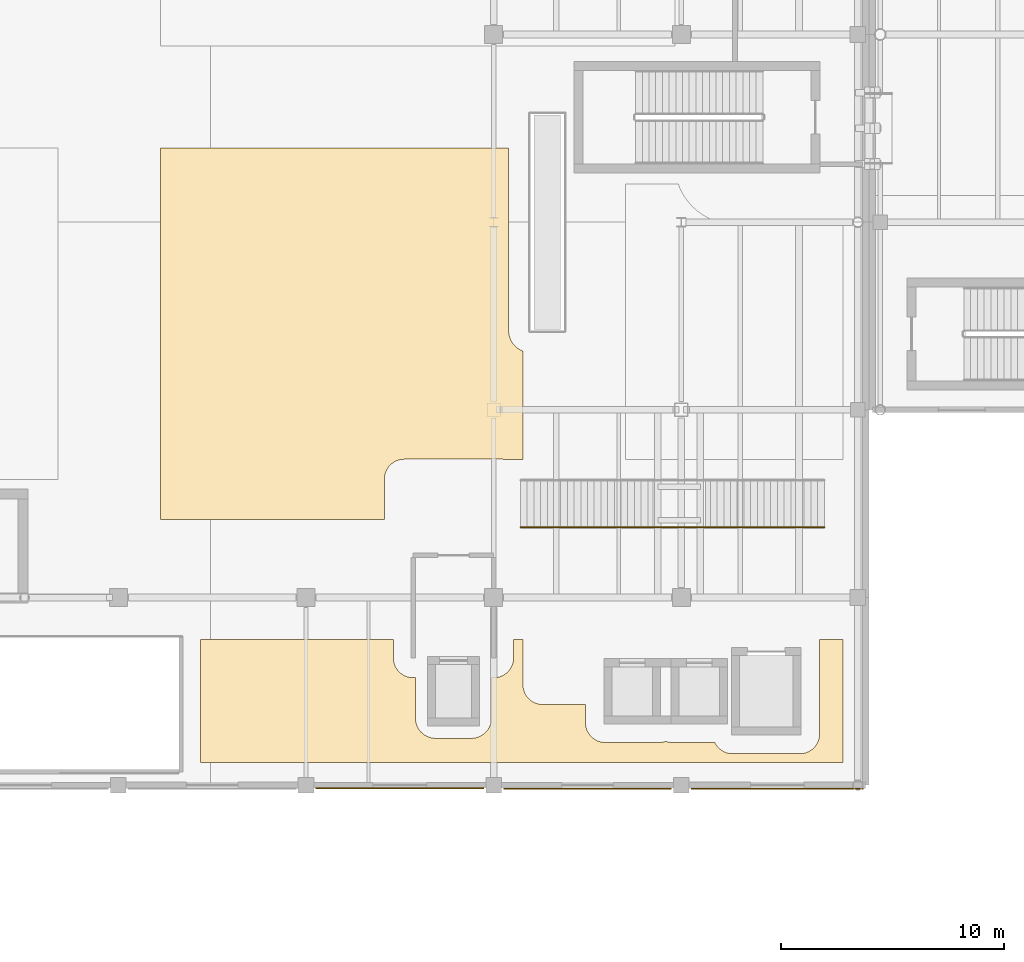
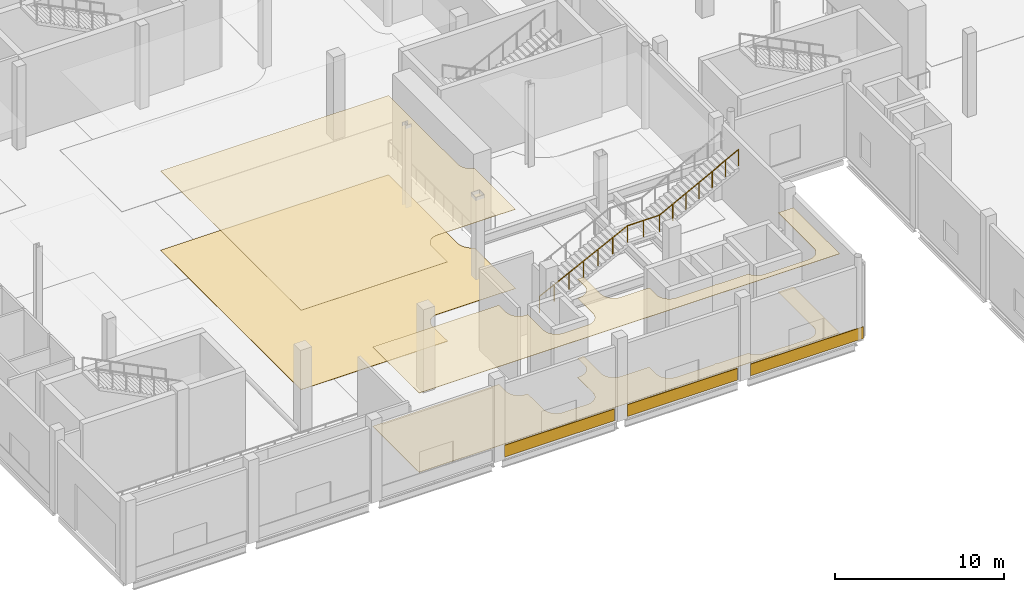
# One storey, part 66 of 85: 7 coverings, 1 railing.
"""IFC4 building model written with IfcOpenShell, lengths in metres."""

from ifc_helpers import new_model, si_unit, direction, frame, origin, origin_2d, place, context, subcontext, project, spatial, polyline, rectangle, circle, outline, extrude, material, layer, layer_set, type_object, element, save


model = new_model("IFC4")

# Units and contexts
model_context = context("Model", 3, precision=1e-05, world=origin(), true_north=direction((0.0, 1.0)))
body_context = subcontext(model_context, "Body", "Model", "MODEL_VIEW")
ifc_project = project(units=[si_unit("LENGTHUNIT", "METRE"), si_unit("AREAUNIT", "SQUARE_METRE"), si_unit("VOLUMEUNIT", "CUBIC_METRE"), si_unit("PLANEANGLEUNIT", "RADIAN"), si_unit("MASSUNIT", "GRAM", prefix="KILO"), si_unit("THERMODYNAMICTEMPERATUREUNIT", "KELVIN")], contexts=[model_context])

# Site, building, storey
site_placement = place(None, origin())
site = spatial("IfcSite", under=ifc_project, at=site_placement, CompositionType="ELEMENT")
building_placement = place(site_placement, origin())
building = spatial("IfcBuilding", under=site, at=building_placement, Name="Lustrewick Department Store", CompositionType="ELEMENT")
storey_placement = place(building_placement, origin())
storey = spatial("IfcBuildingStorey", under=building, at=storey_placement, Name="L01", CompositionType="ELEMENT", Elevation=0.0)

# Coverings
ifc_material_1 = material(Name="Rusticated Fangshan cream limestone", Category="masonry")
ifc_layer_1 = layer(ifc_material_1, 0.050048828125, Name="Rusticated Fangshan cream limestone")
ifc_layer_set_1 = layer_set([ifc_layer_1], Name="Rusticated Fangshan cream limestone")
covering_type_1 = type_object("IfcCoveringType", Name="CLD-LIME", PredefinedType="CLADDING", material=ifc_layer_set_1)
for number, where, z_axis, x_axis, name in (
    (1, (37.800048828125, 41.85498046875, 0.02490234375), (0.0, 0.0, 1.0), (1.0, 0.0, 0.0), "L01 Limestone Plinth Band 006"),
    (2, (46.199951171875, 41.844970703125, 0.02490234375), (0.0, 0.0, 1.0), (1.0, 0.0, 0.0), "L01 Limestone Plinth Band 007"),
):
    element("IfcCovering", number, at=place(storey_placement, frame(where, z_axis=z_axis, x_axis=x_axis)), inside=storey, type_object=covering_type_1, Name=name, PredefinedType="CLADDING", context=body_context, shape_type="SweptSolid", body=[
        extrude(rectangle(XDim=7.510009765625, YDim=0.050048828125, at=origin_2d()), origin(), (0.0, 0.0, 1.0), 0.85009765625),
    ])
covering_1_placement = place(storey_placement, frame((54.697509765625, 41.8349609375, 0.02490234375), z_axis=(0.0, 0.0, 1.0), x_axis=(1.0, 0.0, 0.0)))
element("IfcCovering", 3, at=covering_1_placement, inside=storey, type_object=covering_type_1, Name="L01 Limestone Plinth Band 008", PredefinedType="CLADDING", context=body_context, shape_type="SweptSolid", body=[
    extrude(rectangle(XDim=7.705078125, YDim=0.050048828125, at=origin_2d()), origin(), (0.0, 0.0, 1.0), 0.85009765625),
])
ifc_material_2 = material(Name="Perforated mineral-fibre acoustic ceiling board", Category="gypsum")
ifc_layer_2 = layer(ifc_material_2, 0.02490234375, Name="Perforated mineral-fibre acoustic ceiling board")
ifc_layer_set_2 = layer_set([ifc_layer_2], Name="Perforated mineral-fibre acoustic ceiling board")
covering_type_2 = type_object("IfcCoveringType", Name="COV-CEIL", PredefinedType="CEILING", material=ifc_layer_set_2)
covering_2_placement = place(storey_placement, frame((0.0, 0.0, 5.719970703125)))
element("IfcCovering", 4, at=covering_2_placement, inside=storey, type_object=covering_type_2, Name="L01 V1 Retail Merchandise Gallery 1 Acoustic Ceiling", PredefinedType="CEILING", context=body_context, shape_type="SweptSolid", body=[
    extrude(outline(polyline([(43.31005859375, 61.43115234375), (43.234619140625, 61.46240234375), (43.22216796875, 61.468505859375), (43.15185546875, 61.506103515625), (43.139892578125, 61.51318359375), (43.07080078125, 61.5595703125), (43.06005859375, 61.567626953125), (42.997802734375, 61.61865234375), (42.987548828125, 61.6279296875), (42.927978515625, 61.6875), (42.918701171875, 61.697998046875), (42.86767578125, 61.760009765625), (42.859619140625, 61.77099609375), (42.813232421875, 61.83984375), (42.80615234375, 61.851806640625), (42.768310546875, 61.922119140625), (42.762451171875, 61.9345703125), (42.72900390625, 62.015380859375), (42.724365234375, 62.028564453125), (42.70166015625, 62.103515625), (42.6982421875, 62.116943359375), (42.68115234375, 62.20263671875), (42.67919921875, 62.21630859375), (42.671630859375, 62.29345703125), (42.671142578125, 62.30615234375), (42.669921875, 62.34912109375), (42.669921875, 70.510009765625), (27.090087890625, 70.510009765625), (27.090087890625, 53.889892578125), (37.110107421875, 53.889892578125), (37.110107421875, 55.702880859375), (37.1142578125, 55.78759765625), (37.126708984375, 55.87158203125), (37.12744140625, 55.875), (37.131103515625, 55.892578125), (37.1318359375, 55.895751953125), (37.154541015625, 55.978515625), (37.185302734375, 56.05859375), (37.187744140625, 56.063720703125), (37.22119140625, 56.130615234375), (37.223388671875, 56.134521484375), (37.260986328125, 56.19580078125), (37.303466796875, 56.25390625), (37.30712890625, 56.258544921875), (37.37060546875, 56.329345703125), (37.44140625, 56.392822265625), (37.446044921875, 56.396484375), (37.504150390625, 56.439208984375), (37.565673828125, 56.476806640625), (37.569580078125, 56.47900390625), (37.63623046875, 56.51220703125), (37.638916015625, 56.513427734375), (37.6416015625, 56.5146484375), (37.721435546875, 56.54541015625), (37.80419921875, 56.568115234375), (37.8076171875, 56.56884765625), (37.824951171875, 56.572509765625), (37.828369140625, 56.5732421875), (37.912353515625, 56.585693359375), (37.9970703125, 56.590087890625), (42.403076171875, 56.590087890625), (42.48779296875, 56.585693359375), (42.526611328125, 56.580078125), (43.31005859375, 56.580078125), (43.31005859375, 61.43115234375)])), origin(), (0.0, 0.0, 1.0), 0.025146484375),
])
covering_3_placement = place(storey_placement, frame((0.0, 0.0, 5.719970703125)))
element("IfcCovering", 5, at=covering_3_placement, inside=storey, type_object=covering_type_2, Name="L01 V1 Retail Merchandise Gallery 3 Acoustic Ceiling", PredefinedType="CEILING", context=body_context, shape_type="SweptSolid", body=[
    extrude(outline(polyline([(28.8798828125, 43.02001953125), (57.6298828125, 43.02001953125), (57.6298828125, 48.510009765625), (56.590087890625, 48.510009765625), (56.590087890625, 44.297119140625), (56.585693359375, 44.21240234375), (56.5732421875, 44.12841796875), (56.572509765625, 44.125), (56.56884765625, 44.107421875), (56.568115234375, 44.104248046875), (56.54541015625, 44.021484375), (56.5146484375, 43.94140625), (56.513427734375, 43.938720703125), (56.51220703125, 43.936279296875), (56.47900390625, 43.869384765625), (56.476806640625, 43.865478515625), (56.439208984375, 43.80419921875), (56.396484375, 43.74609375), (56.392822265625, 43.741455078125), (56.329345703125, 43.670654296875), (56.258544921875, 43.607177734375), (56.25390625, 43.603515625), (56.19580078125, 43.560791015625), (56.134521484375, 43.523193359375), (56.130615234375, 43.52099609375), (56.063720703125, 43.48779296875), (56.061279296875, 43.486572265625), (56.05859375, 43.4853515625), (55.978515625, 43.45458984375), (55.895751953125, 43.431884765625), (55.892578125, 43.43115234375), (55.875, 43.427490234375), (55.87158203125, 43.4267578125), (55.78759765625, 43.414306640625), (55.702880859375, 43.409912109375), (52.697021484375, 43.409912109375), (52.6123046875, 43.414306640625), (52.5283203125, 43.4267578125), (52.52490234375, 43.427490234375), (52.507568359375, 43.43115234375), (52.50439453125, 43.431884765625), (52.42138671875, 43.45458984375), (52.341552734375, 43.4853515625), (52.3388671875, 43.486572265625), (52.336181640625, 43.48779296875), (52.26953125, 43.52099609375), (52.265625, 43.523193359375), (52.2041015625, 43.560791015625), (52.14599609375, 43.603515625), (52.141357421875, 43.607177734375), (52.070556640625, 43.670654296875), (52.007080078125, 43.741455078125), (52.00341796875, 43.74609375), (51.9609375, 43.80419921875), (51.92333984375, 43.865478515625), (51.921142578125, 43.869384765625), (51.90087890625, 43.909912109375), (49.9970703125, 43.909912109375), (49.912353515625, 43.914306640625), (49.828369140625, 43.9267578125), (49.824951171875, 43.927490234375), (49.8076171875, 43.93115234375), (49.80419921875, 43.931884765625), (49.721435546875, 43.95458984375), (49.699951171875, 43.962890625), (49.678466796875, 43.95458984375), (49.595703125, 43.931884765625), (49.592529296875, 43.93115234375), (49.574951171875, 43.927490234375), (49.571533203125, 43.9267578125), (49.48779296875, 43.914306640625), (49.403076171875, 43.909912109375), (46.9970703125, 43.909912109375), (46.912353515625, 43.914306640625), (46.828369140625, 43.9267578125), (46.824951171875, 43.927490234375), (46.8076171875, 43.93115234375), (46.80419921875, 43.931884765625), (46.721435546875, 43.95458984375), (46.6416015625, 43.9853515625), (46.638916015625, 43.986572265625), (46.63623046875, 43.98779296875), (46.569580078125, 44.02099609375), (46.565673828125, 44.023193359375), (46.504150390625, 44.060791015625), (46.446044921875, 44.103515625), (46.44140625, 44.107177734375), (46.37060546875, 44.170654296875), (46.30712890625, 44.241455078125), (46.303466796875, 44.24609375), (46.260986328125, 44.30419921875), (46.223388671875, 44.365478515625), (46.22119140625, 44.369384765625), (46.187744140625, 44.436279296875), (46.185302734375, 44.44140625), (46.154541015625, 44.521484375), (46.1318359375, 44.604248046875), (46.131103515625, 44.607421875), (46.12744140625, 44.625), (46.126708984375, 44.62841796875), (46.1142578125, 44.71240234375), (46.110107421875, 44.797119140625), (46.110107421875, 45.610107421875), (44.197021484375, 45.610107421875), (44.1123046875, 45.6142578125), (44.0283203125, 45.626708984375), (44.02490234375, 45.62744140625), (44.007568359375, 45.631103515625), (44.00439453125, 45.6318359375), (43.92138671875, 45.654541015625), (43.841552734375, 45.685302734375), (43.8388671875, 45.6865234375), (43.836181640625, 45.687744140625), (43.76953125, 45.72119140625), (43.765625, 45.723388671875), (43.7041015625, 45.760986328125), (43.64599609375, 45.803466796875), (43.641357421875, 45.80712890625), (43.570556640625, 45.87060546875), (43.507080078125, 45.94140625), (43.50341796875, 45.946044921875), (43.4609375, 46.004150390625), (43.42333984375, 46.065673828125), (43.421142578125, 46.069580078125), (43.3876953125, 46.13623046875), (43.385498046875, 46.1416015625), (43.3544921875, 46.221435546875), (43.331787109375, 46.30419921875), (43.3310546875, 46.3076171875), (43.327392578125, 46.324951171875), (43.32666015625, 46.328369140625), (43.314208984375, 46.412353515625), (43.31005859375, 46.4970703125), (43.31005859375, 48.510009765625), (42.889892578125, 48.510009765625), (42.889892578125, 47.697021484375), (42.8857421875, 47.6123046875), (42.873291015625, 47.5283203125), (42.87255859375, 47.52490234375), (42.868896484375, 47.507568359375), (42.8681640625, 47.50439453125), (42.845458984375, 47.42138671875), (42.814697265625, 47.341552734375), (42.8134765625, 47.3388671875), (42.812255859375, 47.336181640625), (42.77880859375, 47.26953125), (42.776611328125, 47.265625), (42.739013671875, 47.2041015625), (42.696533203125, 47.14599609375), (42.69287109375, 47.141357421875), (42.62939453125, 47.070556640625), (42.55859375, 47.007080078125), (42.553955078125, 47.00341796875), (42.495849609375, 46.9609375), (42.434326171875, 46.92333984375), (42.430419921875, 46.921142578125), (42.36376953125, 46.8876953125), (42.3583984375, 46.885498046875), (42.278564453125, 46.8544921875), (42.19580078125, 46.831787109375), (42.1923828125, 46.8310546875), (42.175048828125, 46.827392578125), (42.171630859375, 46.82666015625), (42.087646484375, 46.814208984375), (42.0029296875, 46.81005859375), (41.89990234375, 46.81005859375), (41.89990234375, 44.9990234375), (41.89892578125, 44.95703125), (41.898681640625, 44.951904296875), (41.889404296875, 44.86279296875), (41.888427734375, 44.85693359375), (41.87109375, 44.774169921875), (41.869873046875, 44.769287109375), (41.8583984375, 44.72998046875), (41.857177734375, 44.7255859375), (41.830322265625, 44.652587890625), (41.797119140625, 44.582275390625), (41.794921875, 44.578125), (41.776611328125, 44.545166015625), (41.7744140625, 44.54150390625), (41.74267578125, 44.491455078125), (41.739501953125, 44.4873046875), (41.692138671875, 44.424560546875), (41.638916015625, 44.3662109375), (41.6337890625, 44.361083984375), (41.575439453125, 44.307861328125), (41.5126953125, 44.260498046875), (41.508544921875, 44.25732421875), (41.45849609375, 44.2255859375), (41.454833984375, 44.223388671875), (41.421875, 44.205078125), (41.417724609375, 44.202880859375), (41.347412109375, 44.169677734375), (41.2744140625, 44.142822265625), (41.27001953125, 44.1416015625), (41.230712890625, 44.130126953125), (41.225830078125, 44.12890625), (41.14306640625, 44.111572265625), (41.13720703125, 44.110595703125), (41.048095703125, 44.101318359375), (41.04296875, 44.10107421875), (41.0009765625, 44.10009765625), (39.39892578125, 44.10009765625), (39.357177734375, 44.10107421875), (39.351806640625, 44.101318359375), (39.262939453125, 44.110595703125), (39.2568359375, 44.111572265625), (39.174072265625, 44.12890625), (39.169189453125, 44.130126953125), (39.130126953125, 44.1416015625), (39.12548828125, 44.142822265625), (39.052490234375, 44.169677734375), (38.982177734375, 44.202880859375), (38.97802734375, 44.205078125), (38.9453125, 44.223388671875), (38.94140625, 44.2255859375), (38.8916015625, 44.25732421875), (38.88720703125, 44.260498046875), (38.824462890625, 44.307861328125), (38.766357421875, 44.361083984375), (38.760986328125, 44.3662109375), (38.7080078125, 44.424560546875), (38.660400390625, 44.4873046875), (38.657470703125, 44.491455078125), (38.62548828125, 44.54150390625), (38.623291015625, 44.545166015625), (38.60498046875, 44.578125), (38.602783203125, 44.582275390625), (38.569580078125, 44.652587890625), (38.54296875, 44.7255859375), (38.54150390625, 44.72998046875), (38.530029296875, 44.769287109375), (38.52880859375, 44.774169921875), (38.511474609375, 44.85693359375), (38.510498046875, 44.86279296875), (38.501220703125, 44.951904296875), (38.5009765625, 44.95703125), (38.5, 44.9990234375), (38.5, 46.81005859375), (38.39697265625, 46.81005859375), (38.312255859375, 46.814208984375), (38.228515625, 46.82666015625), (38.22509765625, 46.827392578125), (38.20751953125, 46.8310546875), (38.204345703125, 46.831787109375), (38.12158203125, 46.8544921875), (38.04150390625, 46.885498046875), (38.036376953125, 46.8876953125), (37.969482421875, 46.921142578125), (37.965576171875, 46.92333984375), (37.904052734375, 46.9609375), (37.845947265625, 47.00341796875), (37.84130859375, 47.007080078125), (37.7705078125, 47.070556640625), (37.70703125, 47.141357421875), (37.70361328125, 47.14599609375), (37.660888671875, 47.2041015625), (37.623291015625, 47.265625), (37.62109375, 47.26953125), (37.587890625, 47.336181640625), (37.586669921875, 47.3388671875), (37.58544921875, 47.341552734375), (37.554443359375, 47.42138671875), (37.53173828125, 47.50439453125), (37.531005859375, 47.507568359375), (37.52734375, 47.52490234375), (37.526611328125, 47.5283203125), (37.51416015625, 47.6123046875), (37.510009765625, 47.697021484375), (37.510009765625, 48.510009765625), (28.8798828125, 48.510009765625), (28.8798828125, 43.02001953125)])), origin(), (0.0, 0.0, 1.0), 0.025146484375),
])
ifc_material_3 = material(Name="Polished terrazzo and porcelain floor finish", Category="masonry")
ifc_layer_3 = layer(ifc_material_3, 0.02001953125, Name="Polished terrazzo and porcelain floor finish")
ifc_layer_set_3 = layer_set([ifc_layer_3], Name="Polished terrazzo and porcelain floor finish")
covering_type_3 = type_object("IfcCoveringType", Name="COV-FLR", PredefinedType="FLOORING", material=ifc_layer_set_3)
covering_4_placement = place(storey_placement, origin())
element("IfcCovering", 6, at=covering_4_placement, inside=storey, type_object=covering_type_3, Name="L01 V1 Retail Merchandise Gallery 1 Terrazzo Flooring", PredefinedType="FLOORING", context=body_context, shape_type="SweptSolid", body=[
    extrude(outline(polyline([(43.31005859375, 61.43115234375), (43.234619140625, 61.46240234375), (43.22216796875, 61.468505859375), (43.15185546875, 61.506103515625), (43.139892578125, 61.51318359375), (43.07080078125, 61.5595703125), (43.06005859375, 61.567626953125), (42.997802734375, 61.61865234375), (42.987548828125, 61.6279296875), (42.927978515625, 61.6875), (42.918701171875, 61.697998046875), (42.86767578125, 61.760009765625), (42.859619140625, 61.77099609375), (42.813232421875, 61.83984375), (42.80615234375, 61.851806640625), (42.768310546875, 61.922119140625), (42.762451171875, 61.9345703125), (42.72900390625, 62.015380859375), (42.724365234375, 62.028564453125), (42.70166015625, 62.103515625), (42.6982421875, 62.116943359375), (42.68115234375, 62.20263671875), (42.67919921875, 62.21630859375), (42.671630859375, 62.29345703125), (42.671142578125, 62.30615234375), (42.669921875, 62.34912109375), (42.669921875, 70.510009765625), (27.090087890625, 70.510009765625), (27.090087890625, 53.889892578125), (37.110107421875, 53.889892578125), (37.110107421875, 55.702880859375), (37.1142578125, 55.78759765625), (37.126708984375, 55.87158203125), (37.12744140625, 55.875), (37.131103515625, 55.892578125), (37.1318359375, 55.895751953125), (37.154541015625, 55.978515625), (37.185302734375, 56.05859375), (37.187744140625, 56.063720703125), (37.22119140625, 56.130615234375), (37.223388671875, 56.134521484375), (37.260986328125, 56.19580078125), (37.303466796875, 56.25390625), (37.30712890625, 56.258544921875), (37.37060546875, 56.329345703125), (37.44140625, 56.392822265625), (37.446044921875, 56.396484375), (37.504150390625, 56.439208984375), (37.565673828125, 56.476806640625), (37.569580078125, 56.47900390625), (37.63623046875, 56.51220703125), (37.638916015625, 56.513427734375), (37.6416015625, 56.5146484375), (37.721435546875, 56.54541015625), (37.80419921875, 56.568115234375), (37.8076171875, 56.56884765625), (37.824951171875, 56.572509765625), (37.828369140625, 56.5732421875), (37.912353515625, 56.585693359375), (37.9970703125, 56.590087890625), (42.403076171875, 56.590087890625), (42.48779296875, 56.585693359375), (42.526611328125, 56.580078125), (43.31005859375, 56.580078125), (43.31005859375, 61.43115234375)])), origin(), (0.0, 0.0, 1.0), 0.02001953125),
])
covering_5_placement = place(storey_placement, origin())
element("IfcCovering", 7, at=covering_5_placement, inside=storey, type_object=covering_type_3, Name="L01 V1 Retail Merchandise Gallery 3 Terrazzo Flooring", PredefinedType="FLOORING", context=body_context, shape_type="SweptSolid", body=[
    extrude(outline(polyline([(28.8798828125, 43.02001953125), (57.6298828125, 43.02001953125), (57.6298828125, 48.510009765625), (56.590087890625, 48.510009765625), (56.590087890625, 44.297119140625), (56.585693359375, 44.21240234375), (56.5732421875, 44.12841796875), (56.572509765625, 44.125), (56.56884765625, 44.107421875), (56.568115234375, 44.104248046875), (56.54541015625, 44.021484375), (56.5146484375, 43.94140625), (56.513427734375, 43.938720703125), (56.51220703125, 43.936279296875), (56.47900390625, 43.869384765625), (56.476806640625, 43.865478515625), (56.439208984375, 43.80419921875), (56.396484375, 43.74609375), (56.392822265625, 43.741455078125), (56.329345703125, 43.670654296875), (56.258544921875, 43.607177734375), (56.25390625, 43.603515625), (56.19580078125, 43.560791015625), (56.134521484375, 43.523193359375), (56.130615234375, 43.52099609375), (56.063720703125, 43.48779296875), (56.061279296875, 43.486572265625), (56.05859375, 43.4853515625), (55.978515625, 43.45458984375), (55.895751953125, 43.431884765625), (55.892578125, 43.43115234375), (55.875, 43.427490234375), (55.87158203125, 43.4267578125), (55.78759765625, 43.414306640625), (55.702880859375, 43.409912109375), (52.697021484375, 43.409912109375), (52.6123046875, 43.414306640625), (52.5283203125, 43.4267578125), (52.52490234375, 43.427490234375), (52.507568359375, 43.43115234375), (52.50439453125, 43.431884765625), (52.42138671875, 43.45458984375), (52.341552734375, 43.4853515625), (52.3388671875, 43.486572265625), (52.336181640625, 43.48779296875), (52.26953125, 43.52099609375), (52.265625, 43.523193359375), (52.2041015625, 43.560791015625), (52.14599609375, 43.603515625), (52.141357421875, 43.607177734375), (52.070556640625, 43.670654296875), (52.007080078125, 43.741455078125), (52.00341796875, 43.74609375), (51.9609375, 43.80419921875), (51.92333984375, 43.865478515625), (51.921142578125, 43.869384765625), (51.90087890625, 43.909912109375), (49.9970703125, 43.909912109375), (49.912353515625, 43.914306640625), (49.828369140625, 43.9267578125), (49.824951171875, 43.927490234375), (49.8076171875, 43.93115234375), (49.80419921875, 43.931884765625), (49.721435546875, 43.95458984375), (49.699951171875, 43.962890625), (49.678466796875, 43.95458984375), (49.595703125, 43.931884765625), (49.592529296875, 43.93115234375), (49.574951171875, 43.927490234375), (49.571533203125, 43.9267578125), (49.48779296875, 43.914306640625), (49.403076171875, 43.909912109375), (46.9970703125, 43.909912109375), (46.912353515625, 43.914306640625), (46.828369140625, 43.9267578125), (46.824951171875, 43.927490234375), (46.8076171875, 43.93115234375), (46.80419921875, 43.931884765625), (46.721435546875, 43.95458984375), (46.6416015625, 43.9853515625), (46.638916015625, 43.986572265625), (46.63623046875, 43.98779296875), (46.569580078125, 44.02099609375), (46.565673828125, 44.023193359375), (46.504150390625, 44.060791015625), (46.446044921875, 44.103515625), (46.44140625, 44.107177734375), (46.37060546875, 44.170654296875), (46.30712890625, 44.241455078125), (46.303466796875, 44.24609375), (46.260986328125, 44.30419921875), (46.223388671875, 44.365478515625), (46.22119140625, 44.369384765625), (46.187744140625, 44.436279296875), (46.185302734375, 44.44140625), (46.154541015625, 44.521484375), (46.1318359375, 44.604248046875), (46.131103515625, 44.607421875), (46.12744140625, 44.625), (46.126708984375, 44.62841796875), (46.1142578125, 44.71240234375), (46.110107421875, 44.797119140625), (46.110107421875, 45.610107421875), (44.197021484375, 45.610107421875), (44.1123046875, 45.6142578125), (44.0283203125, 45.626708984375), (44.02490234375, 45.62744140625), (44.007568359375, 45.631103515625), (44.00439453125, 45.6318359375), (43.92138671875, 45.654541015625), (43.841552734375, 45.685302734375), (43.8388671875, 45.6865234375), (43.836181640625, 45.687744140625), (43.76953125, 45.72119140625), (43.765625, 45.723388671875), (43.7041015625, 45.760986328125), (43.64599609375, 45.803466796875), (43.641357421875, 45.80712890625), (43.570556640625, 45.87060546875), (43.507080078125, 45.94140625), (43.50341796875, 45.946044921875), (43.4609375, 46.004150390625), (43.42333984375, 46.065673828125), (43.421142578125, 46.069580078125), (43.3876953125, 46.13623046875), (43.385498046875, 46.1416015625), (43.3544921875, 46.221435546875), (43.331787109375, 46.30419921875), (43.3310546875, 46.3076171875), (43.327392578125, 46.324951171875), (43.32666015625, 46.328369140625), (43.314208984375, 46.412353515625), (43.31005859375, 46.4970703125), (43.31005859375, 48.510009765625), (42.889892578125, 48.510009765625), (42.889892578125, 47.697021484375), (42.8857421875, 47.6123046875), (42.873291015625, 47.5283203125), (42.87255859375, 47.52490234375), (42.868896484375, 47.507568359375), (42.8681640625, 47.50439453125), (42.845458984375, 47.42138671875), (42.814697265625, 47.341552734375), (42.8134765625, 47.3388671875), (42.812255859375, 47.336181640625), (42.77880859375, 47.26953125), (42.776611328125, 47.265625), (42.739013671875, 47.2041015625), (42.696533203125, 47.14599609375), (42.69287109375, 47.141357421875), (42.62939453125, 47.070556640625), (42.55859375, 47.007080078125), (42.553955078125, 47.00341796875), (42.495849609375, 46.9609375), (42.434326171875, 46.92333984375), (42.430419921875, 46.921142578125), (42.36376953125, 46.8876953125), (42.3583984375, 46.885498046875), (42.278564453125, 46.8544921875), (42.19580078125, 46.831787109375), (42.1923828125, 46.8310546875), (42.175048828125, 46.827392578125), (42.171630859375, 46.82666015625), (42.087646484375, 46.814208984375), (42.0029296875, 46.81005859375), (41.89990234375, 46.81005859375), (41.89990234375, 44.9990234375), (41.89892578125, 44.95703125), (41.898681640625, 44.951904296875), (41.889404296875, 44.86279296875), (41.888427734375, 44.85693359375), (41.87109375, 44.774169921875), (41.869873046875, 44.769287109375), (41.8583984375, 44.72998046875), (41.857177734375, 44.7255859375), (41.830322265625, 44.652587890625), (41.797119140625, 44.582275390625), (41.794921875, 44.578125), (41.776611328125, 44.545166015625), (41.7744140625, 44.54150390625), (41.74267578125, 44.491455078125), (41.739501953125, 44.4873046875), (41.692138671875, 44.424560546875), (41.638916015625, 44.3662109375), (41.6337890625, 44.361083984375), (41.575439453125, 44.307861328125), (41.5126953125, 44.260498046875), (41.508544921875, 44.25732421875), (41.45849609375, 44.2255859375), (41.454833984375, 44.223388671875), (41.421875, 44.205078125), (41.417724609375, 44.202880859375), (41.347412109375, 44.169677734375), (41.2744140625, 44.142822265625), (41.27001953125, 44.1416015625), (41.230712890625, 44.130126953125), (41.225830078125, 44.12890625), (41.14306640625, 44.111572265625), (41.13720703125, 44.110595703125), (41.048095703125, 44.101318359375), (41.04296875, 44.10107421875), (41.0009765625, 44.10009765625), (39.39892578125, 44.10009765625), (39.357177734375, 44.10107421875), (39.351806640625, 44.101318359375), (39.262939453125, 44.110595703125), (39.2568359375, 44.111572265625), (39.174072265625, 44.12890625), (39.169189453125, 44.130126953125), (39.130126953125, 44.1416015625), (39.12548828125, 44.142822265625), (39.052490234375, 44.169677734375), (38.982177734375, 44.202880859375), (38.97802734375, 44.205078125), (38.9453125, 44.223388671875), (38.94140625, 44.2255859375), (38.8916015625, 44.25732421875), (38.88720703125, 44.260498046875), (38.824462890625, 44.307861328125), (38.766357421875, 44.361083984375), (38.760986328125, 44.3662109375), (38.7080078125, 44.424560546875), (38.660400390625, 44.4873046875), (38.657470703125, 44.491455078125), (38.62548828125, 44.54150390625), (38.623291015625, 44.545166015625), (38.60498046875, 44.578125), (38.602783203125, 44.582275390625), (38.569580078125, 44.652587890625), (38.54296875, 44.7255859375), (38.54150390625, 44.72998046875), (38.530029296875, 44.769287109375), (38.52880859375, 44.774169921875), (38.511474609375, 44.85693359375), (38.510498046875, 44.86279296875), (38.501220703125, 44.951904296875), (38.5009765625, 44.95703125), (38.5, 44.9990234375), (38.5, 46.81005859375), (38.39697265625, 46.81005859375), (38.312255859375, 46.814208984375), (38.228515625, 46.82666015625), (38.22509765625, 46.827392578125), (38.20751953125, 46.8310546875), (38.204345703125, 46.831787109375), (38.12158203125, 46.8544921875), (38.04150390625, 46.885498046875), (38.036376953125, 46.8876953125), (37.969482421875, 46.921142578125), (37.965576171875, 46.92333984375), (37.904052734375, 46.9609375), (37.845947265625, 47.00341796875), (37.84130859375, 47.007080078125), (37.7705078125, 47.070556640625), (37.70703125, 47.141357421875), (37.70361328125, 47.14599609375), (37.660888671875, 47.2041015625), (37.623291015625, 47.265625), (37.62109375, 47.26953125), (37.587890625, 47.336181640625), (37.586669921875, 47.3388671875), (37.58544921875, 47.341552734375), (37.554443359375, 47.42138671875), (37.53173828125, 47.50439453125), (37.531005859375, 47.507568359375), (37.52734375, 47.52490234375), (37.526611328125, 47.5283203125), (37.51416015625, 47.6123046875), (37.510009765625, 47.697021484375), (37.510009765625, 48.510009765625), (28.8798828125, 48.510009765625), (28.8798828125, 43.02001953125)])), origin(), (0.0, 0.0, 1.0), 0.02001953125),
])

# Railing
ifc_material_4 = material(Name="Laminated safety glass and bronze atrium balustrade", Category="glass")
railing_type = type_object("IfcRailingType", Name="RL-BAL", PredefinedType="BALUSTRADE", material=ifc_material_4)
railing_placement = place(storey_placement, frame((43.199951171875, 53.550048828125, 0.14990234375)))
element("IfcRailing", 8, at=railing_placement, inside=storey, type_object=railing_type, Name="L01 Feature Stair AST01 Balustrade G1", PredefinedType="BALUSTRADE", context=body_context, shape_type="SweptSolid", body=[
    extrude(circle(Radius=0.02392578125, at=origin_2d()), frame((0.0, 0.0, 1.17578125), z_axis=(0.894427191, 0.0, 0.4472135955), x_axis=(0.0, 1.0, 0.0)), (0.0, 0.0, 1.0), 6.708251953125),
    extrude(circle(Radius=0.02392578125, at=origin_2d()), frame((6.0, 0.0, 4.17578125), z_axis=(1.0, 0.0, 0.0), x_axis=(0.0, 1.0, 0.0)), (0.0, 0.0, 1.0), 2.199951171875),
    extrude(circle(Radius=0.02392578125, at=origin_2d()), frame((8.199951171875, 0.0, 4.17578125), z_axis=(0.884383377448, 0.0, 0.466761225568), x_axis=(0.0, 1.0, 0.0)), (0.0, 0.0, 1.0), 6.106201171875),
    extrude(circle(Radius=0.02099609375, at=origin_2d()), origin(), (0.0, 0.0, 1.0), 1.15185546875),
    extrude(circle(Radius=0.02099609375, at=origin_2d()), frame((1.0, 0.0, 0.5)), (0.0, 0.0, 1.0), 1.15185546875),
    extrude(circle(Radius=0.02099609375, at=origin_2d()), frame((2.0, 0.0, 1.0)), (0.0, 0.0, 1.0), 1.15185546875),
    extrude(circle(Radius=0.02099609375, at=origin_2d()), frame((3.0, 0.0, 1.5)), (0.0, 0.0, 1.0), 1.15185546875),
    extrude(circle(Radius=0.02099609375, at=origin_2d()), frame((4.0, 0.0, 2.0)), (0.0, 0.0, 1.0), 1.15185546875),
    extrude(circle(Radius=0.02099609375, at=origin_2d()), frame((5.0, 0.0, 2.5)), (0.0, 0.0, 1.0), 1.15185546875),
    extrude(circle(Radius=0.02099609375, at=origin_2d()), frame((6.0, 0.0, 3.0)), (0.0, 0.0, 1.0), 1.15185546875),
    extrude(circle(Radius=0.02099609375, at=origin_2d()), frame((7.10009765625, 0.0, 3.0)), (0.0, 0.0, 1.0), 1.15185546875),
    extrude(circle(Radius=0.02099609375, at=origin_2d()), frame((8.199951171875, 0.0, 3.0)), (0.0, 0.0, 1.0), 1.15185546875),
    extrude(circle(Radius=0.02099609375, at=origin_2d()), frame((9.10009765625, 0.0, 3.47509765625)), (0.0, 0.0, 1.0), 1.15185546875),
    extrude(circle(Radius=0.02099609375, at=origin_2d()), frame((10.0, 0.0, 3.949951171875)), (0.0, 0.0, 1.0), 1.15185546875),
    extrude(circle(Radius=0.02099609375, at=origin_2d()), frame((10.89990234375, 0.0, 4.425048828125)), (0.0, 0.0, 1.0), 1.15185546875),
    extrude(circle(Radius=0.02099609375, at=origin_2d()), frame((11.800048828125, 0.0, 4.900146484375)), (0.0, 0.0, 1.0), 1.15185546875),
    extrude(circle(Radius=0.02099609375, at=origin_2d()), frame((12.7001953125, 0.0, 5.375)), (0.0, 0.0, 1.0), 1.15185546875),
    extrude(circle(Radius=0.02099609375, at=origin_2d()), frame((13.60009765625, 0.0, 5.85009765625)), (0.0, 0.0, 1.0), 1.15185546875),
])

save(model, "model.ifc")
